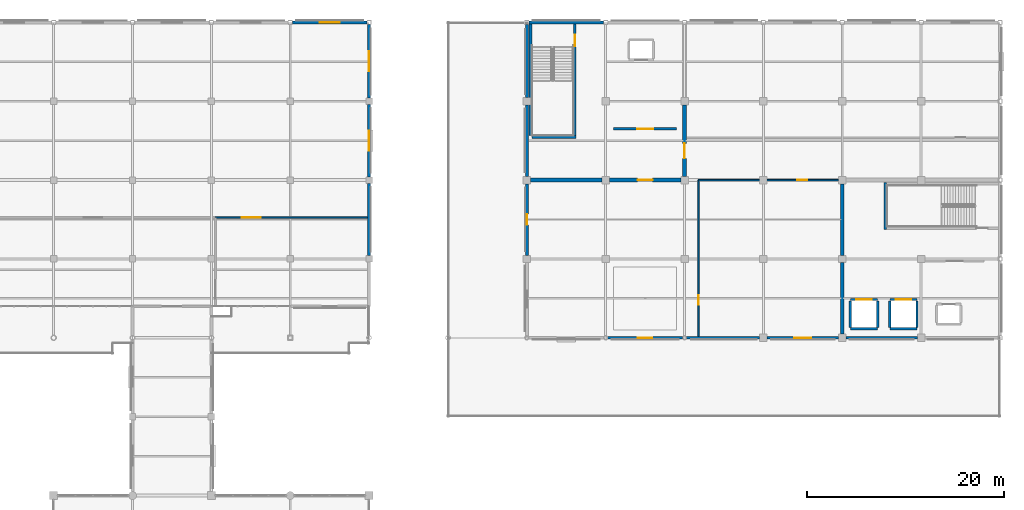
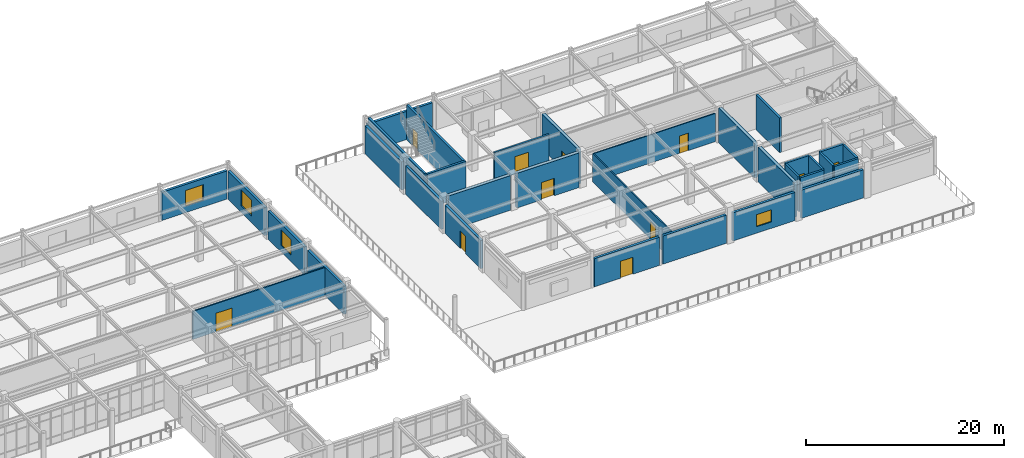
# One storey, part 59 of 75: 33 walls, 11 doors, 4 windows, 15 openings.
"""IFC4 building model written with IfcOpenShell, lengths in metres."""

from ifc_helpers import new_model, si_unit, direction, frame, frame_2d, origin, place, context, subcontext, project, spatial, rectangle, extrude, material, layer, layer_set, type_object, element, fill, save


model = new_model("IFC4")

# Units and contexts
model_context = context("Model", 3, precision=1e-05, world=origin(), true_north=direction((0.0, 1.0)))
body_context = subcontext(model_context, "Body", "Model", "MODEL_VIEW")
ifc_project = project(units=[si_unit("LENGTHUNIT", "METRE"), si_unit("AREAUNIT", "SQUARE_METRE"), si_unit("VOLUMEUNIT", "CUBIC_METRE"), si_unit("PLANEANGLEUNIT", "RADIAN"), si_unit("MASSUNIT", "GRAM", prefix="KILO")], contexts=[model_context])

# Site, building, storey
site_placement = place(None, origin())
site = spatial("IfcSite", under=ifc_project, at=site_placement, CompositionType="ELEMENT")
building_placement = place(site_placement, origin())
building = spatial("IfcBuilding", under=site, at=building_placement, Name="Solmirada Galleria", CompositionType="ELEMENT")
storey_placement = place(building_placement, frame((0.0, 0.0, 19.39990234375)))
storey = spatial("IfcBuildingStorey", under=building, at=storey_placement, Name="L04", CompositionType="ELEMENT", Elevation=19.39990234375)

# Wall
ifc_material_1 = material(Name="Concrete C40/50", Category="concrete")
ifc_layer_1 = layer(ifc_material_1, 0.3798828125)
ifc_layer_set_1 = layer_set([ifc_layer_1], Name="Concrete C40/50")
wall_type_1 = type_object("IfcWallType", Name="WL-CORE-380", PredefinedType="SHEAR", material=ifc_layer_set_1)
wall_1_placement = place(storey_placement, frame((128.375, 104.0, 0.0), z_axis=(0.0, 0.0, 1.0), x_axis=(1.0, 0.0, 0.0)))
element("IfcWall", 1, at=wall_1_placement, inside=storey, type_object=wall_type_1, Name="Core C3 shear wall L04 S1", PredefinedType="SHEAR", context=body_context, shape_type="SweptSolid", body=[
    extrude(rectangle(XDim=7.25, YDim=0.3798828125, at=frame_2d((3.625, 0.0))), origin(), (0.0, 0.0, 1.0), 4.280029296875),
])

# Wall, opening, door
wall_2_placement = place(storey_placement, frame((136.375, 104.0, 0.0), z_axis=(0.0, 0.0, 1.0), x_axis=(1.0, 0.0, 0.0)))
wall_2 = element("IfcWall", 2, at=wall_2_placement, inside=storey, type_object=wall_type_1, Name="Core C3 shear wall L04 S2", PredefinedType="SHEAR", context=body_context, shape_type="SweptSolid", body=[
    extrude(rectangle(XDim=7.25, YDim=0.3798828125, at=frame_2d((3.625, 0.0))), origin(), (0.0, 0.0, 1.0), 4.280029296875),
])
opening_1_placement = place(wall_2_placement, frame((2.875, 0.0, 0.0)))
opening_1 = element("IfcOpeningElement", 3, at=opening_1_placement, cuts=wall_2, Name="Opening LDY-190", PredefinedType="OPENING", context=body_context, shape_type="SweptSolid", body=[
    extrude(rectangle(XDim=1.5, YDim=2.14990234375, at=frame_2d((0.75, 1.074951171875))), frame((0.0, 0.199951171875, 0.0), z_axis=(0.0, -1.0, 0.0), x_axis=(1.0, 0.0, 0.0)), (0.0, 0.0, 1.0), 0.39990234375),
])
ifc_material_2 = material(Name="Fire-rated painted steel door assembly", Category="steel")
door_type_1 = type_object("IfcDoorType", Name="DR-LOBBY-150X215", OperationType="DOUBLE_DOOR_SINGLE_SWING", PredefinedType="DOOR", material=ifc_material_2)
door_1_placement = place(opening_1_placement, origin())
door_1 = element("IfcDoor", 4, at=door_1_placement, inside=storey, type_object=door_type_1, Name="Core C3 lobby access fire door LDY-190", OperationType="DOUBLE_DOOR_SINGLE_SWING", OverallHeight=2.14990234375, OverallWidth=1.5, PredefinedType="DOOR", context=body_context, shape_type="SweptSolid", body=[
    extrude(rectangle(XDim=1.5, YDim=2.14990234375, at=frame_2d((0.75, 1.074951171875))), frame((0.0, 0.02490234375, 0.0), z_axis=(0.0, -1.0, 0.0), x_axis=(1.0, 0.0, 0.0)), (0.0, 0.0, 1.0), 0.050048828125),
])
fill(opening_1, door_1)

wall_3_placement = place(storey_placement, frame((144.0, 104.375, 0.0), z_axis=(0.0, 0.0, 1.0), x_axis=(0.0, 1.0, 0.0)))
wall_3 = element("IfcWall", 5, at=wall_3_placement, inside=storey, type_object=wall_type_1, Name="Core C3 shear wall L04 E1", PredefinedType="SHEAR", context=body_context, shape_type="SweptSolid", body=[
    extrude(rectangle(XDim=7.25, YDim=0.3798828125, at=frame_2d((3.625, 0.0))), origin(), (0.0, 0.0, 1.0), 4.280029296875),
])
opening_2_placement = place(wall_3_placement, frame((1.837890625, 0.0, 0.0)))
opening_2 = element("IfcOpeningElement", 6, at=opening_2_placement, cuts=wall_3, Name="Opening LDY-191", PredefinedType="OPENING", context=body_context, shape_type="SweptSolid", body=[
    extrude(rectangle(XDim=1.5, YDim=2.14990234375, at=frame_2d((0.75, 1.074951171875))), frame((0.0, 0.199951171875, 0.0), z_axis=(0.0, -1.0, 0.0), x_axis=(1.0, 0.0, 0.0)), (0.0, 0.0, 1.0), 0.39990234375),
])
door_2_placement = place(opening_2_placement, origin())
door_2 = element("IfcDoor", 7, at=door_2_placement, inside=storey, type_object=door_type_1, Name="Core C3 lobby access fire door LDY-191", OperationType="DOUBLE_DOOR_SINGLE_SWING", OverallHeight=2.14990234375, OverallWidth=1.5, PredefinedType="DOOR", context=body_context, shape_type="SweptSolid", body=[
    extrude(rectangle(XDim=1.5, YDim=2.14990234375, at=frame_2d((0.75, 1.074951171875))), frame((0.0, 0.02490234375, 0.0), z_axis=(0.0, -1.0, 0.0), x_axis=(1.0, 0.0, 0.0)), (0.0, 0.0, 1.0), 0.050048828125),
])
fill(opening_2, door_2)

# Walls
for number, where, z_axis, x_axis, name in (
    (8, (160.0, 88.375, 0.0), (0.0, 0.0, 1.0), (0.0, 1.0, 0.0), "Core C4 shear wall L04 W1"),
    (9, (160.0, 96.375, 0.0), (0.0, 0.0, 1.0), (0.0, 1.0, 0.0), "Core C4 shear wall L04 W2"),
):
    element("IfcWall", number, at=place(storey_placement, frame(where, z_axis=z_axis, x_axis=x_axis)), inside=storey, type_object=wall_type_1, Name=name, PredefinedType="SHEAR", context=body_context, shape_type="SweptSolid", body=[
        extrude(rectangle(XDim=7.25, YDim=0.3798828125, at=frame_2d((3.625, 0.0))), origin(), (0.0, 0.0, 1.0), 4.280029296875),
    ])

# Wall, opening, window
ifc_material_3 = material(Name="Precast concrete C40/50", Category="concrete")
ifc_layer_2 = layer(ifc_material_3, 0.2900390625)
ifc_layer_set_2 = layer_set([ifc_layer_2], Name="Precast concrete C40/50")
wall_type_2 = type_object("IfcWallType", Name="WL-EXT-290", PredefinedType="STANDARD", material=ifc_layer_set_2)
wall_4_placement = place(storey_placement, frame((104.202880859375, 120.0, 0.0), z_axis=(0.0, 0.0, 1.0), x_axis=(1.0, 0.0, 0.0)))
wall_4 = element("IfcWall", 10, at=wall_4_placement, inside=storey, type_object=wall_type_2, Name="Exterior wall L04 bay 030", PredefinedType="STANDARD", context=body_context, shape_type="SweptSolid", body=[
    extrude(rectangle(XDim=7.59423828125, YDim=0.2900390625, at=frame_2d((3.797119140625, 0.0))), origin(), (0.0, 0.0, 1.0), 3.47998046875),
])
opening_3_placement = place(wall_4_placement, frame((2.77197265625, 0.0, 0.800048828125)))
opening_3 = element("IfcOpeningElement", 11, at=opening_3_placement, cuts=wall_4, Name="Opening WN4", PredefinedType="OPENING", context=body_context, shape_type="SweptSolid", body=[
    extrude(rectangle(XDim=2.050048828125, YDim=1.949951171875, at=frame_2d((1.02490234375, 0.97509765625))), frame((0.0, 0.155029296875, 0.0), z_axis=(0.0, -1.0, 0.0), x_axis=(1.0, 0.0, 0.0)), (0.0, 0.0, 1.0), 0.31005859375),
])
ifc_material_4 = material(Name="Impact-resistant low-E double glazing", Category="glass")
window_type_1 = type_object("IfcWindowType", Name="WIN-AVE-205X195", PartitioningType="DOUBLE_PANEL_VERTICAL", PredefinedType="WINDOW", material=ifc_material_4)
window_1_placement = place(opening_3_placement, origin())
window_1 = element("IfcWindow", 12, at=window_1_placement, inside=storey, type_object=window_type_1, Name="Window L04-124", OverallHeight=1.949951171875, OverallWidth=2.050048828125, PartitioningType="DOUBLE_PANEL_VERTICAL", PredefinedType="WINDOW", context=body_context, shape_type="SweptSolid", body=[
    extrude(rectangle(XDim=2.050048828125, YDim=1.949951171875, at=frame_2d((1.02490234375, 0.97509765625))), frame((0.0, 0.030029296875, 0.0), z_axis=(0.0, -1.0, 0.0), x_axis=(1.0, 0.0, 0.0)), (0.0, 0.0, 1.0), 0.06005859375),
])
fill(opening_3, window_1)

wall_5_placement = place(storey_placement, frame((112.0, 119.797119140625, 0.0), z_axis=(0.0, 0.0, 1.0), x_axis=(0.0, -1.0, 0.0)))
wall_5 = element("IfcWall", 13, at=wall_5_placement, inside=storey, type_object=wall_type_2, Name="Exterior wall L04 bay 031", PredefinedType="STANDARD", context=body_context, shape_type="SweptSolid", body=[
    extrude(rectangle(XDim=7.47216796875, YDim=0.2900390625, at=frame_2d((3.736083984375, 0.0))), origin(), (0.0, 0.0, 1.0), 3.47998046875),
])
opening_4_placement = place(wall_5_placement, frame((2.7109375, 0.0, 0.800048828125)))
opening_4 = element("IfcOpeningElement", 14, at=opening_4_placement, cuts=wall_5, Name="Opening WN4", PredefinedType="OPENING", context=body_context, shape_type="SweptSolid", body=[
    extrude(rectangle(XDim=2.050048828125, YDim=1.949951171875, at=frame_2d((1.02490234375, 0.97509765625))), frame((0.0, 0.155029296875, 0.0), z_axis=(0.0, -1.0, 0.0), x_axis=(1.0, 0.0, 0.0)), (0.0, 0.0, 1.0), 0.31005859375),
])
window_2_placement = place(opening_4_placement, origin())
window_2 = element("IfcWindow", 15, at=window_2_placement, inside=storey, type_object=window_type_1, Name="Window L04-125", OverallHeight=1.949951171875, OverallWidth=2.050048828125, PartitioningType="DOUBLE_PANEL_VERTICAL", PredefinedType="WINDOW", context=body_context, shape_type="SweptSolid", body=[
    extrude(rectangle(XDim=2.050048828125, YDim=1.949951171875, at=frame_2d((1.02490234375, 0.97509765625))), frame((0.0, 0.030029296875, 0.0), z_axis=(0.0, -1.0, 0.0), x_axis=(1.0, 0.0, 0.0)), (0.0, 0.0, 1.0), 0.06005859375),
])
fill(opening_4, window_2)

wall_6_placement = place(storey_placement, frame((112.0, 111.675048828125, 0.0), z_axis=(0.0, 0.0, 1.0), x_axis=(0.0, -1.0, 0.0)))
wall_6 = element("IfcWall", 16, at=wall_6_placement, inside=storey, type_object=wall_type_2, Name="Exterior wall L04 bay 032", PredefinedType="STANDARD", context=body_context, shape_type="SweptSolid", body=[
    extrude(rectangle(XDim=7.35009765625, YDim=0.2900390625, at=frame_2d((3.675048828125, 0.0))), origin(), (0.0, 0.0, 1.0), 3.47998046875),
])
opening_5_placement = place(wall_6_placement, frame((2.64990234375, 0.0, 0.800048828125)))
opening_5 = element("IfcOpeningElement", 17, at=opening_5_placement, cuts=wall_6, Name="Opening WN4", PredefinedType="OPENING", context=body_context, shape_type="SweptSolid", body=[
    extrude(rectangle(XDim=2.050048828125, YDim=1.949951171875, at=frame_2d((1.02490234375, 0.97509765625))), frame((0.0, 0.155029296875, 0.0), z_axis=(0.0, -1.0, 0.0), x_axis=(1.0, 0.0, 0.0)), (0.0, 0.0, 1.0), 0.31005859375),
])
window_3_placement = place(opening_5_placement, origin())
window_3 = element("IfcWindow", 18, at=window_3_placement, inside=storey, type_object=window_type_1, Name="Window L04-126", OverallHeight=1.949951171875, OverallWidth=2.050048828125, PartitioningType="DOUBLE_PANEL_VERTICAL", PredefinedType="WINDOW", context=body_context, shape_type="SweptSolid", body=[
    extrude(rectangle(XDim=2.050048828125, YDim=1.949951171875, at=frame_2d((1.02490234375, 0.97509765625))), frame((0.0, 0.030029296875, 0.0), z_axis=(0.0, -1.0, 0.0), x_axis=(1.0, 0.0, 0.0)), (0.0, 0.0, 1.0), 0.06005859375),
])
fill(opening_5, window_3)

# Walls
wall_7_placement = place(storey_placement, frame((112.0, 103.675048828125, 0.0), z_axis=(0.0, 0.0, 1.0), x_axis=(0.0, -1.0, 0.0)))
element("IfcWall", 19, at=wall_7_placement, inside=storey, type_object=wall_type_2, Name="Exterior wall L04 bay 033", PredefinedType="STANDARD", context=body_context, shape_type="SweptSolid", body=[
    extrude(rectangle(XDim=7.35009765625, YDim=0.2900390625, at=frame_2d((3.675048828125, 0.0))), origin(), (0.0, 0.0, 1.0), 3.47998046875),
])
wall_8_placement = place(storey_placement, frame((167.625, 88.0, 0.0), z_axis=(0.0, 0.0, 1.0), x_axis=(-1.0, 0.0, 0.0)))
element("IfcWall", 20, at=wall_8_placement, inside=storey, type_object=wall_type_2, Name="Exterior wall L04 bay 079", PredefinedType="STANDARD", context=body_context, shape_type="SweptSolid", body=[
    extrude(rectangle(XDim=7.25, YDim=0.2900390625, at=frame_2d((3.625, 0.0))), origin(), (0.0, 0.0, 1.0), 3.47998046875),
])

# Wall, opening, window
wall_9_placement = place(storey_placement, frame((159.625, 88.0, 0.0), z_axis=(0.0, 0.0, 1.0), x_axis=(-1.0, 0.0, 0.0)))
wall_9 = element("IfcWall", 21, at=wall_9_placement, inside=storey, type_object=wall_type_2, Name="Exterior wall L04 bay 080", PredefinedType="STANDARD", context=body_context, shape_type="SweptSolid", body=[
    extrude(rectangle(XDim=7.25, YDim=0.2900390625, at=frame_2d((3.625, 0.0))), origin(), (0.0, 0.0, 1.0), 3.47998046875),
])
opening_6_placement = place(wall_9_placement, frame((2.75, 0.0, 0.800048828125)))
opening_6 = element("IfcOpeningElement", 22, at=opening_6_placement, cuts=wall_9, Name="Opening WN13", PredefinedType="OPENING", context=body_context, shape_type="SweptSolid", body=[
    extrude(rectangle(XDim=1.75, YDim=1.5, at=frame_2d((0.875, 0.75))), frame((0.0, 0.155029296875, 0.0), z_axis=(0.0, -1.0, 0.0), x_axis=(1.0, 0.0, 0.0)), (0.0, 0.0, 1.0), 0.31005859375),
])
window_type_2 = type_object("IfcWindowType", Name="WIN-OFF-175X150", PartitioningType="SINGLE_PANEL", PredefinedType="WINDOW", material=ifc_material_4)
window_4_placement = place(opening_6_placement, origin())
window_4 = element("IfcWindow", 23, at=window_4_placement, inside=storey, type_object=window_type_2, Name="Window L04-143", OverallHeight=1.5, OverallWidth=1.75, PartitioningType="SINGLE_PANEL", PredefinedType="WINDOW", context=body_context, shape_type="SweptSolid", body=[
    extrude(rectangle(XDim=1.75, YDim=1.5, at=frame_2d((0.875, 0.75))), frame((0.0, 0.030029296875, 0.0), z_axis=(0.0, -1.0, 0.0), x_axis=(1.0, 0.0, 0.0)), (0.0, 0.0, 1.0), 0.06005859375),
])
fill(opening_6, window_4)

# Wall
wall_10_placement = place(storey_placement, frame((151.625, 88.0, 0.0), z_axis=(0.0, 0.0, 1.0), x_axis=(-1.0, 0.0, 0.0)))
element("IfcWall", 24, at=wall_10_placement, inside=storey, type_object=wall_type_2, Name="Exterior wall L04 bay 081", PredefinedType="STANDARD", context=body_context, shape_type="SweptSolid", body=[
    extrude(rectangle(XDim=7.422119140625, YDim=0.2900390625, at=frame_2d((3.7109375, 0.0))), origin(), (0.0, 0.0, 1.0), 3.47998046875),
])

# Wall, opening, door
wall_11_placement = place(storey_placement, frame((143.797119140625, 88.0, 0.0), z_axis=(0.0, 0.0, 1.0), x_axis=(-1.0, 0.0, 0.0)))
wall_11 = element("IfcWall", 25, at=wall_11_placement, inside=storey, type_object=wall_type_2, Name="Exterior wall L04 bay 082", PredefinedType="STANDARD", context=body_context, shape_type="SweptSolid", body=[
    extrude(rectangle(XDim=7.59423828125, YDim=0.2900390625, at=frame_2d((3.797119140625, 0.0))), origin(), (0.0, 0.0, 1.0), 3.47998046875),
])
opening_7_placement = place(wall_11_placement, frame((3.072021484375, 0.0, 0.0)))
opening_7 = element("IfcOpeningElement", 26, at=opening_7_placement, cuts=wall_11, Name="Opening TD-075", PredefinedType="OPENING", context=body_context, shape_type="SweptSolid", body=[
    extrude(rectangle(XDim=1.449951171875, YDim=2.10009765625, at=frame_2d((0.72509765625, 1.050048828125))), frame((0.0, 0.155029296875, 0.0), z_axis=(0.0, -1.0, 0.0), x_axis=(1.0, 0.0, 0.0)), (0.0, 0.0, 1.0), 0.31005859375),
])
ifc_material_5 = material(Name="Thermally broken aluminium and laminated glass door", Category="aluminium")
door_type_2 = type_object("IfcDoorType", Name="DR-TERR-145X210", OperationType="DOUBLE_DOOR_SINGLE_SWING", PredefinedType="DOOR", material=ifc_material_5)
door_3_placement = place(opening_7_placement, origin())
door_3 = element("IfcDoor", 27, at=door_3_placement, inside=storey, type_object=door_type_2, Name="Planted terrace access door TD-075", OperationType="DOUBLE_DOOR_SINGLE_SWING", OverallHeight=2.10009765625, OverallWidth=1.449951171875, PredefinedType="DOOR", context=body_context, shape_type="SweptSolid", body=[
    extrude(rectangle(XDim=1.449951171875, YDim=2.10009765625, at=frame_2d((0.72509765625, 1.050048828125))), frame((0.0, 0.02490234375, 0.0), z_axis=(0.0, -1.0, 0.0), x_axis=(1.0, 0.0, 0.0)), (0.0, 0.0, 1.0), 0.050048828125),
])
fill(opening_7, door_3)

wall_12_placement = place(storey_placement, frame((128.0, 96.375, 0.0), z_axis=(0.0, 0.0, 1.0), x_axis=(0.0, 1.0, 0.0)))
wall_12 = element("IfcWall", 28, at=wall_12_placement, inside=storey, type_object=wall_type_2, Name="Exterior wall L04 bay 085", PredefinedType="STANDARD", context=body_context, shape_type="SweptSolid", body=[
    extrude(rectangle(XDim=7.25, YDim=0.2900390625, at=frame_2d((3.625, 0.0))), origin(), (0.0, 0.0, 1.0), 3.47998046875),
])
opening_8_placement = place(wall_12_placement, frame((3.074951171875, 0.0, 0.0)))
opening_8 = element("IfcOpeningElement", 29, at=opening_8_placement, cuts=wall_12, Name="Opening TD-076", PredefinedType="OPENING", context=body_context, shape_type="SweptSolid", body=[
    extrude(rectangle(XDim=1.10009765625, YDim=2.14990234375, at=frame_2d((0.550048828125, 1.074951171875))), frame((0.0, 0.155029296875, 0.0), z_axis=(0.0, -1.0, 0.0), x_axis=(1.0, 0.0, 0.0)), (0.0, 0.0, 1.0), 0.31005859375),
])
door_type_3 = type_object("IfcDoorType", Name="DR-TERR-110X215", OperationType="NOTDEFINED", PredefinedType="DOOR", material=ifc_material_5)
door_4_placement = place(opening_8_placement, origin())
door_4 = element("IfcDoor", 30, at=door_4_placement, inside=storey, type_object=door_type_3, Name="Planted terrace access door TD-076", OperationType="SINGLE_SWING_RIGHT", OverallHeight=2.14990234375, OverallWidth=1.10009765625, PredefinedType="DOOR", context=body_context, shape_type="SweptSolid", body=[
    extrude(rectangle(XDim=1.10009765625, YDim=2.14990234375, at=frame_2d((0.550048828125, 1.074951171875))), frame((0.0, 0.02490234375, 0.0), z_axis=(0.0, -1.0, 0.0), x_axis=(1.0, 0.0, 0.0)), (0.0, 0.0, 1.0), 0.050048828125),
])
fill(opening_8, door_4)

# Walls
wall_13_placement = place(storey_placement, frame((128.0, 104.375, 0.0), z_axis=(0.0, 0.0, 1.0), x_axis=(0.0, 1.0, 0.0)))
element("IfcWall", 31, at=wall_13_placement, inside=storey, type_object=wall_type_2, Name="Exterior wall L04 bay 086", PredefinedType="STANDARD", context=body_context, shape_type="SweptSolid", body=[
    extrude(rectangle(XDim=7.25, YDim=0.2900390625, at=frame_2d((3.625, 0.0))), origin(), (0.0, 0.0, 1.0), 3.47998046875),
])
wall_14_placement = place(storey_placement, frame((128.0, 112.375, 0.0), z_axis=(0.0, 0.0, 1.0), x_axis=(0.0, 1.0, 0.0)))
element("IfcWall", 32, at=wall_14_placement, inside=storey, type_object=wall_type_2, Name="Exterior wall L04 bay 087", PredefinedType="STANDARD", context=body_context, shape_type="SweptSolid", body=[
    extrude(rectangle(XDim=7.422119140625, YDim=0.2900390625, at=frame_2d((3.7109375, 0.0))), origin(), (0.0, 0.0, 1.0), 3.47998046875),
])
wall_15_placement = place(storey_placement, frame((128.202880859375, 120.0, 0.0), z_axis=(0.0, 0.0, 1.0), x_axis=(1.0, 0.0, 0.0)))
element("IfcWall", 33, at=wall_15_placement, inside=storey, type_object=wall_type_2, Name="Exterior wall L04 bay 088", PredefinedType="STANDARD", context=body_context, shape_type="SweptSolid", body=[
    extrude(rectangle(XDim=7.59423828125, YDim=0.2900390625, at=frame_2d((3.797119140625, 0.0))), origin(), (0.0, 0.0, 1.0), 3.47998046875),
])

# Wall, opening, door
ifc_layer_3 = layer(ifc_material_1, 0.239990234375)
ifc_layer_set_3 = layer_set([ifc_layer_3], Name="Concrete C40/50")
wall_type_3 = type_object("IfcWallType", Name="WL-HOIST-240", PredefinedType="PARTITIONING", material=ifc_layer_set_3)
wall_16_placement = place(storey_placement, frame((164.820068359375, 91.8798828125, 0.0), z_axis=(0.0, 0.0, 1.0), x_axis=(1.0, 0.0, 0.0)))
wall_16 = element("IfcWall", 34, at=wall_16_placement, inside=storey, type_object=wall_type_3, Name="Lift GF1 hoistway front wall L04", PredefinedType="PARTITIONING", context=body_context, shape_type="SweptSolid", body=[
    extrude(rectangle(XDim=2.760009765625, YDim=0.239990234375, at=frame_2d((1.3798828125, 0.0))), origin(), (0.0, 0.0, 1.0), 4.280029296875),
])
opening_9_placement = place(wall_16_placement, frame((0.580078125, 0.0, 0.0)))
opening_9 = element("IfcOpeningElement", 35, at=opening_9_placement, cuts=wall_16, Name="Opening LD-GF1-L04", PredefinedType="OPENING", context=body_context, shape_type="SweptSolid", body=[
    extrude(rectangle(XDim=1.60009765625, YDim=2.300048828125, at=frame_2d((0.800048828125, 1.14990234375))), frame((0.0, 0.1298828125, 0.0), z_axis=(0.0, -1.0, 0.0), x_axis=(1.0, 0.0, 0.0)), (0.0, 0.0, 1.0), 0.260009765625),
])
ifc_material_6 = material(Name="Brushed stainless-steel sliding landing door", Category="steel")
door_type_4 = type_object("IfcDoorType", Name="DR-LIFT-160X230", OperationType="SLIDING_TO_LEFT", PredefinedType="DOOR", material=ifc_material_6)
door_5_placement = place(opening_9_placement, origin())
door_5 = element("IfcDoor", 36, at=door_5_placement, inside=storey, type_object=door_type_4, Name="Lift GF1 sliding landing door L04", OperationType="SLIDING_TO_LEFT", OverallHeight=2.300048828125, OverallWidth=1.60009765625, PredefinedType="DOOR", context=body_context, shape_type="SweptSolid", body=[
    extrude(rectangle(XDim=1.60009765625, YDim=2.300048828125, at=frame_2d((0.800048828125, 1.14990234375))), frame((0.0, 0.02490234375, 0.0), z_axis=(0.0, -1.0, 0.0), x_axis=(1.0, 0.0, 0.0)), (0.0, 0.0, 1.0), 0.050048828125),
])
fill(opening_9, door_5)

# Walls
wall_17_placement = place(storey_placement, frame((164.820068359375, 88.919921875, 0.0), z_axis=(0.0, 0.0, 1.0), x_axis=(1.0, 0.0, 0.0)))
element("IfcWall", 37, at=wall_17_placement, inside=storey, type_object=wall_type_3, Name="Lift GF1 hoistway rear wall L04", PredefinedType="PARTITIONING", context=body_context, shape_type="SweptSolid", body=[
    extrude(rectangle(XDim=2.760009765625, YDim=0.239990234375, at=frame_2d((1.3798828125, 0.0))), origin(), (0.0, 0.0, 1.0), 4.280029296875),
])
for number, where, z_axis, x_axis, name in (
    (38, (164.820068359375, 89.06005859375, 0.0), (0.0, 0.0, 1.0), (0.0, 1.0, 0.0), "Lift GF1 hoistway side wall L L04"),
    (39, (167.580078125, 89.06005859375, 0.0), (0.0, 0.0, 1.0), (0.0, 1.0, 0.0), "Lift GF1 hoistway side wall R L04"),
):
    element("IfcWall", number, at=place(storey_placement, frame(where, z_axis=z_axis, x_axis=x_axis)), inside=storey, type_object=wall_type_3, Name=name, PredefinedType="PARTITIONING", context=body_context, shape_type="SweptSolid", body=[
        extrude(rectangle(XDim=2.679931640625, YDim=0.239990234375, at=frame_2d((1.33984375, 0.0))), origin(), (0.0, 0.0, 1.0), 4.280029296875),
    ])

# Wall, opening, door
wall_18_placement = place(storey_placement, frame((160.820068359375, 91.8798828125, 0.0), z_axis=(0.0, 0.0, 1.0), x_axis=(1.0, 0.0, 0.0)))
wall_18 = element("IfcWall", 40, at=wall_18_placement, inside=storey, type_object=wall_type_3, Name="Lift GF2 hoistway front wall L04", PredefinedType="PARTITIONING", context=body_context, shape_type="SweptSolid", body=[
    extrude(rectangle(XDim=2.760009765625, YDim=0.239990234375, at=frame_2d((1.3798828125, 0.0))), origin(), (0.0, 0.0, 1.0), 4.280029296875),
])
opening_10_placement = place(wall_18_placement, frame((0.580078125, 0.0, 0.0)))
opening_10 = element("IfcOpeningElement", 41, at=opening_10_placement, cuts=wall_18, Name="Opening LD-GF2-L04", PredefinedType="OPENING", context=body_context, shape_type="SweptSolid", body=[
    extrude(rectangle(XDim=1.60009765625, YDim=2.300048828125, at=frame_2d((0.800048828125, 1.14990234375))), frame((0.0, 0.1298828125, 0.0), z_axis=(0.0, -1.0, 0.0), x_axis=(1.0, 0.0, 0.0)), (0.0, 0.0, 1.0), 0.260009765625),
])
door_6_placement = place(opening_10_placement, origin())
door_6 = element("IfcDoor", 42, at=door_6_placement, inside=storey, type_object=door_type_4, Name="Lift GF2 sliding landing door L04", OperationType="SLIDING_TO_LEFT", OverallHeight=2.300048828125, OverallWidth=1.60009765625, PredefinedType="DOOR", context=body_context, shape_type="SweptSolid", body=[
    extrude(rectangle(XDim=1.60009765625, YDim=2.300048828125, at=frame_2d((0.800048828125, 1.14990234375))), frame((0.0, 0.02490234375, 0.0), z_axis=(0.0, -1.0, 0.0), x_axis=(1.0, 0.0, 0.0)), (0.0, 0.0, 1.0), 0.050048828125),
])
fill(opening_10, door_6)

# Walls
wall_19_placement = place(storey_placement, frame((160.820068359375, 88.919921875, 0.0), z_axis=(0.0, 0.0, 1.0), x_axis=(1.0, 0.0, 0.0)))
element("IfcWall", 43, at=wall_19_placement, inside=storey, type_object=wall_type_3, Name="Lift GF2 hoistway rear wall L04", PredefinedType="PARTITIONING", context=body_context, shape_type="SweptSolid", body=[
    extrude(rectangle(XDim=2.760009765625, YDim=0.239990234375, at=frame_2d((1.3798828125, 0.0))), origin(), (0.0, 0.0, 1.0), 4.280029296875),
])
for number, where, z_axis, x_axis, name in (
    (44, (160.820068359375, 89.06005859375, 0.0), (0.0, 0.0, 1.0), (0.0, 1.0, 0.0), "Lift GF2 hoistway side wall L L04"),
    (45, (163.580078125, 89.06005859375, 0.0), (0.0, 0.0, 1.0), (0.0, 1.0, 0.0), "Lift GF2 hoistway side wall R L04"),
):
    element("IfcWall", number, at=place(storey_placement, frame(where, z_axis=z_axis, x_axis=x_axis)), inside=storey, type_object=wall_type_3, Name=name, PredefinedType="PARTITIONING", context=body_context, shape_type="SweptSolid", body=[
        extrude(rectangle(XDim=2.679931640625, YDim=0.239990234375, at=frame_2d((1.33984375, 0.0))), origin(), (0.0, 0.0, 1.0), 4.280029296875),
    ])

# Wall, opening, door
ifc_material_7 = material(Name="Acoustic gypsum board partition")
ifc_layer_4 = layer(ifc_material_7, 0.135009765625)
ifc_layer_set_4 = layer_set([ifc_layer_4], Name="Acoustic gypsum board partition")
wall_type_4 = type_object("IfcWallType", Name="WL-PART-135", PredefinedType="PARTITIONING", material=ifc_layer_set_4)
wall_20_placement = place(storey_placement, frame((145.39990234375, 104.0, 0.0), z_axis=(0.0, 0.0, 1.0), x_axis=(1.0, 0.0, 0.0)))
wall_20 = element("IfcWall", 46, at=wall_20_placement, inside=storey, type_object=wall_type_4, Name="Partition L04-140 (NE Corridor South E L04)", PredefinedType="PARTITIONING", context=body_context, shape_type="SweptSolid", body=[
    extrude(rectangle(XDim=14.22509765625, YDim=0.135009765625, at=frame_2d((7.112548828125, 0.0))), origin(), (0.0, 0.0, 1.0), 3.47998046875),
])
opening_11_placement = place(wall_20_placement, frame((10.056884765625, 0.0, 0.0)))
opening_11 = element("IfcOpeningElement", 47, at=opening_11_placement, cuts=wall_20, Name="Opening ID-360", PredefinedType="OPENING", context=body_context, shape_type="SweptSolid", body=[
    extrude(rectangle(XDim=1.0, YDim=2.14990234375, at=frame_2d((0.5, 1.074951171875))), frame((0.0, 0.077392578125, 0.0), z_axis=(0.0, -1.0, 0.0), x_axis=(1.0, 0.0, 0.0)), (0.0, 0.0, 1.0), 0.155029296875),
])
ifc_material_8 = material(Name="Architectural hardwood veneer door", Category="wood")
door_type_5 = type_object("IfcDoorType", Name="DR-ROOM-100X215", OperationType="NOTDEFINED", PredefinedType="DOOR", material=ifc_material_8)
door_7_placement = place(opening_11_placement, origin())
door_7 = element("IfcDoor", 48, at=door_7_placement, inside=storey, type_object=door_type_5, Name="NE Corridor South E L04 door ID-360", OperationType="SINGLE_SWING_RIGHT", OverallHeight=2.14990234375, OverallWidth=1.0, PredefinedType="DOOR", context=body_context, shape_type="SweptSolid", body=[
    extrude(rectangle(XDim=1.0, YDim=2.14990234375, at=frame_2d((0.5, 1.074951171875))), frame((0.0, 0.02490234375, 0.0), z_axis=(0.0, -1.0, 0.0), x_axis=(1.0, 0.0, 0.0)), (0.0, 0.0, 1.0), 0.050048828125),
])
fill(opening_11, door_7)

wall_21_placement = place(storey_placement, frame((145.39990234375, 88.14990234375, 0.0), z_axis=(0.0, 0.0, 1.0), x_axis=(0.0, 1.0, 0.0)))
wall_21 = element("IfcWall", 49, at=wall_21_placement, inside=storey, type_object=wall_type_4, Name="Partition L04-141 (Buying Studio L04)", PredefinedType="PARTITIONING", context=body_context, shape_type="SweptSolid", body=[
    extrude(rectangle(XDim=15.85009765625, YDim=0.135009765625, at=frame_2d((7.925048828125, 0.0))), origin(), (0.0, 0.0, 1.0), 3.47998046875),
])
opening_12_placement = place(wall_21_placement, frame((3.179931640625, 0.0, 0.0)))
opening_12 = element("IfcOpeningElement", 50, at=opening_12_placement, cuts=wall_21, Name="Opening ID-361", PredefinedType="OPENING", context=body_context, shape_type="SweptSolid", body=[
    extrude(rectangle(XDim=1.0, YDim=2.14990234375, at=frame_2d((0.5, 1.074951171875))), frame((0.0, 0.077392578125, 0.0), z_axis=(0.0, -1.0, 0.0), x_axis=(1.0, 0.0, 0.0)), (0.0, 0.0, 1.0), 0.155029296875),
])
door_8_placement = place(opening_12_placement, origin())
door_8 = element("IfcDoor", 51, at=door_8_placement, inside=storey, type_object=door_type_5, Name="Buying Studio L04 door ID-361", OperationType="SINGLE_SWING_LEFT", OverallHeight=2.14990234375, OverallWidth=1.0, PredefinedType="DOOR", context=body_context, shape_type="SweptSolid", body=[
    extrude(rectangle(XDim=1.0, YDim=2.14990234375, at=frame_2d((0.5, 1.074951171875))), frame((0.0, 0.02490234375, 0.0), z_axis=(0.0, -1.0, 0.0), x_axis=(1.0, 0.0, 0.0)), (0.0, 0.0, 1.0), 0.050048828125),
])
fill(opening_12, door_8)

ifc_layer_5 = layer(ifc_material_7, 0.159912109375)
ifc_layer_set_5 = layer_set([ifc_layer_5], Name="Acoustic gypsum board partition")
wall_type_5 = type_object("IfcWallType", Name="WL-PART-160", PredefinedType="PARTITIONING", material=ifc_layer_set_5)
wall_22_placement = place(storey_placement, frame((96.39990234375, 100.199951171875, 0.0), z_axis=(0.0, 0.0, 1.0), x_axis=(1.0, 0.0, 0.0)))
wall_22 = element("IfcWall", 52, at=wall_22_placement, inside=storey, type_object=wall_type_5, Name="Partition L04-125 (North Promenade E L04)", PredefinedType="PARTITIONING", context=body_context, shape_type="SweptSolid", body=[
    extrude(rectangle(XDim=15.4501953125, YDim=0.159912109375, at=frame_2d((7.72509765625, 0.0))), origin(), (0.0, 0.0, 1.0), 3.47998046875),
])
opening_13_placement = place(wall_22_placement, frame((2.68603515625, 0.0, 0.0)))
opening_13 = element("IfcOpeningElement", 53, at=opening_13_placement, cuts=wall_22, Name="Opening ID-348", PredefinedType="OPENING", context=body_context, shape_type="SweptSolid", body=[
    extrude(rectangle(XDim=1.89990234375, YDim=2.300048828125, at=frame_2d((0.949951171875, 1.14990234375))), frame((0.0, 0.08984375, 0.0), z_axis=(0.0, -1.0, 0.0), x_axis=(1.0, 0.0, 0.0)), (0.0, 0.0, 1.0), 0.179931640625),
])
door_type_6 = type_object("IfcDoorType", Name="DR-DEPT-190X230", OperationType="DOUBLE_DOOR_SINGLE_SWING", PredefinedType="DOOR", material=ifc_material_8)
door_9_placement = place(opening_13_placement, origin())
door_9 = element("IfcDoor", 54, at=door_9_placement, inside=storey, type_object=door_type_6, Name="North Promenade E L04 door ID-348", OperationType="DOUBLE_DOOR_SINGLE_SWING", OverallHeight=2.300048828125, OverallWidth=1.89990234375, PredefinedType="DOOR", context=body_context, shape_type="SweptSolid", body=[
    extrude(rectangle(XDim=1.89990234375, YDim=2.300048828125, at=frame_2d((0.949951171875, 1.14990234375))), frame((0.0, 0.02490234375, 0.0), z_axis=(0.0, -1.0, 0.0), x_axis=(1.0, 0.0, 0.0)), (0.0, 0.0, 1.0), 0.050048828125),
])
fill(opening_13, door_9)

ifc_material_9 = material(Name="Fire-rated gypsum and steel-stud partition", Category="steel")
ifc_layer_6 = layer(ifc_material_9, 0.219970703125)
ifc_layer_set_6 = layer_set([ifc_layer_6], Name="Fire-rated gypsum and steel-stud partition")
wall_type_6 = type_object("IfcWallType", Name="WL-PART-220", PredefinedType="PARTITIONING", material=ifc_layer_set_6)
wall_23_placement = place(storey_placement, frame((136.800048828125, 109.199951171875, 0.0), z_axis=(0.0, 0.0, 1.0), x_axis=(1.0, 0.0, 0.0)))
wall_23 = element("IfcWall", 55, at=wall_23_placement, inside=storey, type_object=wall_type_6, Name="Firefighting lift lobby C3 smoke barrier L04", PredefinedType="PARTITIONING", context=body_context, shape_type="SweptSolid", body=[
    extrude(rectangle(XDim=6.39990234375, YDim=0.219970703125, at=frame_2d((3.199951171875, 0.0))), origin(), (0.0, 0.0, 1.0), 3.47998046875),
])
opening_14_placement = place(wall_23_placement, frame((2.39990234375, 0.0, 0.0)))
opening_14 = element("IfcOpeningElement", 56, at=opening_14_placement, cuts=wall_23, Name="Opening FD-192", PredefinedType="OPENING", context=body_context, shape_type="SweptSolid", body=[
    extrude(rectangle(XDim=1.60009765625, YDim=2.14990234375, at=frame_2d((0.800048828125, 1.074951171875))), frame((0.0, 0.119873046875, 0.0), z_axis=(0.0, -1.0, 0.0), x_axis=(1.0, 0.0, 0.0)), (0.0, 0.0, 1.0), 0.239990234375),
])
door_type_7 = type_object("IfcDoorType", Name="DR-FFLOB-160X215", OperationType="DOUBLE_DOOR_SINGLE_SWING", PredefinedType="DOOR", material=ifc_material_2)
door_10_placement = place(opening_14_placement, origin())
door_10 = element("IfcDoor", 57, at=door_10_placement, inside=storey, type_object=door_type_7, Name="Firefighting lift lobby internal door FD-192", OperationType="DOUBLE_DOOR_SINGLE_SWING", OverallHeight=2.14990234375, OverallWidth=1.60009765625, PredefinedType="DOOR", context=body_context, shape_type="SweptSolid", body=[
    extrude(rectangle(XDim=1.60009765625, YDim=2.14990234375, at=frame_2d((0.800048828125, 1.074951171875))), frame((0.0, 0.02490234375, 0.0), z_axis=(0.0, -1.0, 0.0), x_axis=(1.0, 0.0, 0.0)), (0.0, 0.0, 1.0), 0.050048828125),
])
fill(opening_14, door_10)

# Walls
ifc_layer_7 = layer(ifc_material_1, 0.260009765625)
ifc_layer_set_7 = layer_set([ifc_layer_7], Name="Concrete C40/50")
wall_type_7 = type_object("IfcWallType", Name="WL-SHAFT-260", PredefinedType="SHEAR", material=ifc_layer_set_7)
wall_24_placement = place(storey_placement, frame((128.5, 108.3701171875, 0.0), z_axis=(0.0, 0.0, 1.0), x_axis=(1.0, 0.0, 0.0)))
element("IfcWall", 58, at=wall_24_placement, inside=storey, type_object=wall_type_7, Name="Stair ST3 enclosure wall L04 S", PredefinedType="SHEAR", context=body_context, shape_type="SweptSolid", body=[
    extrude(rectangle(XDim=4.510009765625, YDim=0.260009765625, at=frame_2d((2.2548828125, 0.0))), origin(), (0.0, 0.0, 1.0), 4.280029296875),
])
wall_25_placement = place(storey_placement, frame((128.3701171875, 108.5, 0.0), z_axis=(0.0, 0.0, 1.0), x_axis=(0.0, 1.0, 0.0)))
element("IfcWall", 59, at=wall_25_placement, inside=storey, type_object=wall_type_7, Name="Stair ST3 enclosure wall L04 W", PredefinedType="SHEAR", context=body_context, shape_type="SweptSolid", body=[
    extrude(rectangle(XDim=11.35498046875, YDim=0.260009765625, at=frame_2d((5.677490234375, 0.0))), origin(), (0.0, 0.0, 1.0), 4.280029296875),
])

# Wall, opening, door
wall_26_placement = place(storey_placement, frame((132.8798828125, 108.5, 0.0), z_axis=(0.0, 0.0, 1.0), x_axis=(0.0, 1.0, 0.0)))
wall_26 = element("IfcWall", 60, at=wall_26_placement, inside=storey, type_object=wall_type_7, Name="Stair ST3 enclosure wall L04 E", PredefinedType="SHEAR", context=body_context, shape_type="SweptSolid", body=[
    extrude(rectangle(XDim=11.35498046875, YDim=0.260009765625, at=frame_2d((5.677490234375, 0.0))), origin(), (0.0, 0.0, 1.0), 4.280029296875),
])
opening_15_placement = place(wall_26_placement, frame((9.10009765625, 0.0, 0.0)))
opening_15 = element("IfcOpeningElement", 61, at=opening_15_placement, cuts=wall_26, Name="Opening SD-189", PredefinedType="OPENING", context=body_context, shape_type="SweptSolid", body=[
    extrude(rectangle(XDim=1.14990234375, YDim=2.14990234375, at=frame_2d((0.574951171875, 1.074951171875))), frame((0.0, 0.139892578125, 0.0), z_axis=(0.0, -1.0, 0.0), x_axis=(1.0, 0.0, 0.0)), (0.0, 0.0, 1.0), 0.280029296875),
])
door_type_8 = type_object("IfcDoorType", Name="DR-STAIR-115X215", OperationType="NOTDEFINED", PredefinedType="DOOR", material=ifc_material_2)
door_11_placement = place(opening_15_placement, origin())
door_11 = element("IfcDoor", 62, at=door_11_placement, inside=storey, type_object=door_type_8, Name="Exit stair ST3 enclosure fire door SD-189", OperationType="SINGLE_SWING_RIGHT", OverallHeight=2.14990234375, OverallWidth=1.14990234375, PredefinedType="DOOR", context=body_context, shape_type="SweptSolid", body=[
    extrude(rectangle(XDim=1.14990234375, YDim=2.14990234375, at=frame_2d((0.574951171875, 1.074951171875))), frame((0.0, 0.02490234375, 0.0), z_axis=(0.0, -1.0, 0.0), x_axis=(1.0, 0.0, 0.0)), (0.0, 0.0, 1.0), 0.050048828125),
])
fill(opening_15, door_11)

# Wall
wall_27_placement = place(storey_placement, frame((164.3701171875, 98.989990234375, 0.0), z_axis=(0.0, 0.0, 1.0), x_axis=(0.0, 1.0, 0.0)))
element("IfcWall", 63, at=wall_27_placement, inside=storey, type_object=wall_type_7, Name="Stair ST4 enclosure wall L04 W", PredefinedType="SHEAR", context=body_context, shape_type="SweptSolid", body=[
    extrude(rectangle(XDim=4.77001953125, YDim=0.260009765625, at=frame_2d((2.385009765625, 0.0))), origin(), (0.0, 0.0, 1.0), 4.280029296875),
])

save(model, "model.ifc")
